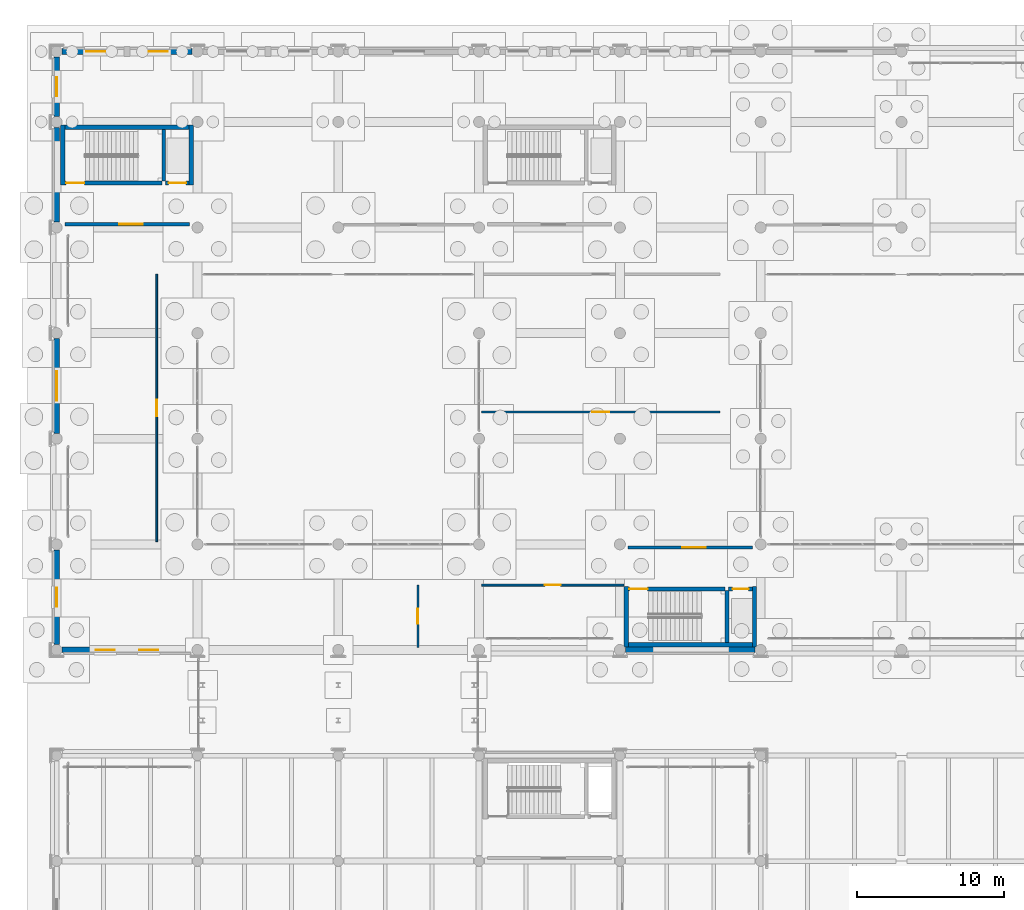
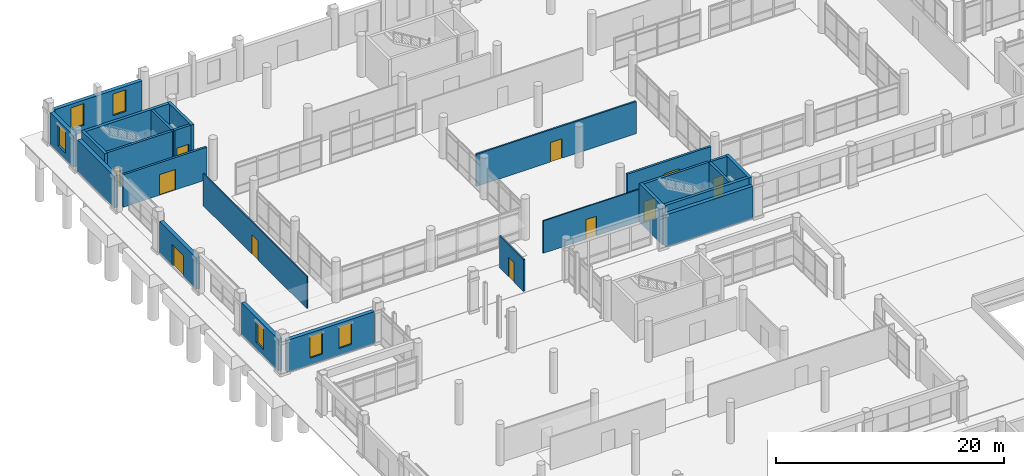
# One storey, part 162 of 196: 25 walls, 11 doors, 6 windows, 17 openings.
"""IFC4 building model written with IfcOpenShell, lengths in metres."""

from ifc_helpers import new_model, si_unit, direction, frame, frame_2d, origin, place, context, subcontext, project, spatial, rectangle, extrude, material, layer, layer_set, type_object, element, fill, save


model = new_model("IFC4")

# Units and contexts
model_context = context("Model", 3, precision=1e-05, world=origin(), true_north=direction((0.0, 1.0)))
body_context = subcontext(model_context, "Body", "Model", "MODEL_VIEW")
ifc_project = project(units=[si_unit("LENGTHUNIT", "METRE"), si_unit("AREAUNIT", "SQUARE_METRE"), si_unit("VOLUMEUNIT", "CUBIC_METRE"), si_unit("PLANEANGLEUNIT", "RADIAN"), si_unit("MASSUNIT", "GRAM", prefix="KILO")], contexts=[model_context])

# Site, building, storey
site_placement = place(None, origin())
site = spatial("IfcSite", under=ifc_project, at=site_placement, CompositionType="ELEMENT")
building_placement = place(site_placement, origin())
building = spatial("IfcBuilding", under=site, at=building_placement, Name="Asteropetra Specialist Clinic", CompositionType="ELEMENT")
storey_placement = place(building_placement, origin())
storey = spatial("IfcBuildingStorey", under=building, at=storey_placement, Name="L00", CompositionType="ELEMENT", Elevation=0.0)

# Wall, openings, windows
ifc_material_1 = material(Name="Pentelic marble ashlar", Category="masonry")
ifc_layer_1 = layer(ifc_material_1, 0.3798828125)
ifc_layer_set_1 = layer_set([ifc_layer_1], Name="Pentelic marble ashlar")
wall_type_1 = type_object("IfcWallType", Name="EW-PENTELIC-380", PredefinedType="SOLIDWALL", material=ifc_layer_set_1)
wall_1_placement = place(storey_placement, frame((0.375, 69.60009765625, 0.0), z_axis=(0.0, 0.0, 1.0), x_axis=(1.0, 0.0, 0.0)))
wall_1 = element("IfcWall", 1, at=wall_1_placement, inside=storey, type_object=wall_type_1, Name="Exterior Wall EW-0046", PredefinedType="SOLIDWALL", context=body_context, shape_type="SweptSolid", body=[
    extrude(rectangle(XDim=8.85009765625, YDim=0.3798828125, at=frame_2d((4.425048828125, 0.0))), origin(), (0.0, 0.0, 1.0), 3.419921875),
])
opening_1_placement = place(wall_1_placement, frame((2.300048828125, 0.0, 0.719970703125)))
opening_1 = element("IfcOpeningElement", 2, at=opening_1_placement, cuts=wall_1, Name="Opening W-0037", PredefinedType="OPENING", context=body_context, shape_type="SweptSolid", body=[
    extrude(rectangle(XDim=1.300048828125, YDim=2.320068359375, at=frame_2d((0.64990234375, 1.16015625))), frame((0.0, 0.199951171875, 0.0), z_axis=(0.0, -1.0, 0.0), x_axis=(1.0, 0.0, 0.0)), (0.0, 0.0, 1.0), 0.39990234375),
])
opening_2_placement = place(wall_1_placement, frame((5.25, 0.0, 0.719970703125)))
opening_2 = element("IfcOpeningElement", 3, at=opening_2_placement, cuts=wall_1, Name="Opening W-0038", PredefinedType="OPENING", context=body_context, shape_type="SweptSolid", body=[
    extrude(rectangle(XDim=1.300048828125, YDim=2.320068359375, at=frame_2d((0.64990234375, 1.16015625))), frame((0.0, 0.199951171875, 0.0), z_axis=(0.0, -1.0, 0.0), x_axis=(1.0, 0.0, 0.0)), (0.0, 0.0, 1.0), 0.39990234375),
])
ifc_material_2 = material(Name="Thermally broken bronze aluminium and low-E glass", Category="aluminium")
window_type = type_object("IfcWindowType", Name="WIN-T20", PartitioningType="DOUBLE_PANEL_VERTICAL", PredefinedType="WINDOW", material=ifc_material_2)
window_1_placement = place(opening_1_placement, origin())
window_1 = element("IfcWindow", 4, at=window_1_placement, inside=storey, type_object=window_type, Name="Window W-0037", OverallHeight=2.320068359375, OverallWidth=1.300048828125, PartitioningType="SINGLE_PANEL", PredefinedType="WINDOW", context=body_context, shape_type="SweptSolid", body=[
    extrude(rectangle(XDim=1.300048828125, YDim=2.320068359375, at=frame_2d((0.64990234375, 1.16015625))), frame((0.0, 0.030029296875, 0.0), z_axis=(0.0, -1.0, 0.0), x_axis=(1.0, 0.0, 0.0)), (0.0, 0.0, 1.0), 0.06005859375),
])
fill(opening_1, window_1)
window_2_placement = place(opening_2_placement, origin())
window_2 = element("IfcWindow", 5, at=window_2_placement, inside=storey, type_object=window_type, Name="Window W-0038", OverallHeight=2.320068359375, OverallWidth=1.300048828125, PartitioningType="SINGLE_PANEL", PredefinedType="WINDOW", context=body_context, shape_type="SweptSolid", body=[
    extrude(rectangle(XDim=1.300048828125, YDim=2.320068359375, at=frame_2d((0.64990234375, 1.16015625))), frame((0.0, 0.030029296875, 0.0), z_axis=(0.0, -1.0, 0.0), x_axis=(1.0, 0.0, 0.0)), (0.0, 0.0, 1.0), 0.06005859375),
])
fill(opening_2, window_2)

wall_2_placement = place(storey_placement, frame((9.22509765625, 110.39990234375, 0.0), z_axis=(0.0, 0.0, 1.0), x_axis=(-1.0, 0.0, 0.0)))
wall_2 = element("IfcWall", 6, at=wall_2_placement, inside=storey, type_object=wall_type_1, Name="Exterior Wall EW-0047", PredefinedType="SOLIDWALL", context=body_context, shape_type="SweptSolid", body=[
    extrude(rectangle(XDim=8.85009765625, YDim=0.3798828125, at=frame_2d((4.425048828125, 0.0))), origin(), (0.0, 0.0, 1.0), 3.419921875),
])
opening_3_placement = place(wall_2_placement, frame((1.65087890625, 0.0, 0.719970703125)))
opening_3 = element("IfcOpeningElement", 7, at=opening_3_placement, cuts=wall_2, Name="Opening W-0039", PredefinedType="OPENING", context=body_context, shape_type="SweptSolid", body=[
    extrude(rectangle(XDim=1.300048828125, YDim=2.320068359375, at=frame_2d((0.64990234375, 1.16015625))), frame((0.0, 0.199951171875, 0.0), z_axis=(0.0, -1.0, 0.0), x_axis=(1.0, 0.0, 0.0)), (0.0, 0.0, 1.0), 0.39990234375),
])
opening_4_placement = place(wall_2_placement, frame((5.89892578125, 0.0, 0.719970703125)))
opening_4 = element("IfcOpeningElement", 8, at=opening_4_placement, cuts=wall_2, Name="Opening W-0040", PredefinedType="OPENING", context=body_context, shape_type="SweptSolid", body=[
    extrude(rectangle(XDim=1.300048828125, YDim=2.320068359375, at=frame_2d((0.64990234375, 1.16015625))), frame((0.0, 0.199951171875, 0.0), z_axis=(0.0, -1.0, 0.0), x_axis=(1.0, 0.0, 0.0)), (0.0, 0.0, 1.0), 0.39990234375),
])
window_3_placement = place(opening_3_placement, origin())
window_3 = element("IfcWindow", 9, at=window_3_placement, inside=storey, type_object=window_type, Name="Window W-0039", OverallHeight=2.320068359375, OverallWidth=1.300048828125, PartitioningType="SINGLE_PANEL", PredefinedType="WINDOW", context=body_context, shape_type="SweptSolid", body=[
    extrude(rectangle(XDim=1.300048828125, YDim=2.320068359375, at=frame_2d((0.64990234375, 1.16015625))), frame((0.0, 0.030029296875, 0.0), z_axis=(0.0, -1.0, 0.0), x_axis=(1.0, 0.0, 0.0)), (0.0, 0.0, 1.0), 0.06005859375),
])
fill(opening_3, window_3)
window_4_placement = place(opening_4_placement, origin())
window_4 = element("IfcWindow", 10, at=window_4_placement, inside=storey, type_object=window_type, Name="Window W-0040", OverallHeight=2.320068359375, OverallWidth=1.300048828125, PartitioningType="SINGLE_PANEL", PredefinedType="WINDOW", context=body_context, shape_type="SweptSolid", body=[
    extrude(rectangle(XDim=1.300048828125, YDim=2.320068359375, at=frame_2d((0.64990234375, 1.16015625))), frame((0.0, 0.030029296875, 0.0), z_axis=(0.0, -1.0, 0.0), x_axis=(1.0, 0.0, 0.0)), (0.0, 0.0, 1.0), 0.06005859375),
])
fill(opening_4, window_4)

# Wall
wall_3_placement = place(storey_placement, frame((38.77490234375, 69.60009765625, 0.0), z_axis=(0.0, 0.0, 1.0), x_axis=(1.0, 0.0, 0.0)))
element("IfcWall", 11, at=wall_3_placement, inside=storey, type_object=wall_type_1, Name="Exterior Wall EW-0051", PredefinedType="SOLIDWALL", context=body_context, shape_type="SweptSolid", body=[
    extrude(rectangle(XDim=8.85009765625, YDim=0.3798828125, at=frame_2d((4.425048828125, 0.0))), origin(), (0.0, 0.0, 1.0), 3.419921875),
])

# Wall, opening, window
wall_4_placement = place(storey_placement, frame((0.0, 76.425048828125, 0.0), z_axis=(0.0, 0.0, 1.0), x_axis=(0.0, -1.0, 0.0)))
wall_4 = element("IfcWall", 12, at=wall_4_placement, inside=storey, type_object=wall_type_1, Name="Exterior Wall EW-0056", PredefinedType="SOLIDWALL", context=body_context, shape_type="SweptSolid", body=[
    extrude(rectangle(XDim=6.449951171875, YDim=0.3798828125, at=frame_2d((3.22509765625, 0.0))), origin(), (0.0, 0.0, 1.0), 3.419921875),
])
opening_5_placement = place(wall_4_placement, frame((2.574951171875, 0.0, 0.719970703125)))
opening_5 = element("IfcOpeningElement", 13, at=opening_5_placement, cuts=wall_4, Name="Opening W-0051", PredefinedType="OPENING", context=body_context, shape_type="SweptSolid", body=[
    extrude(rectangle(XDim=1.300048828125, YDim=2.320068359375, at=frame_2d((0.64990234375, 1.16015625))), frame((0.0, 0.199951171875, 0.0), z_axis=(0.0, -1.0, 0.0), x_axis=(1.0, 0.0, 0.0)), (0.0, 0.0, 1.0), 0.39990234375),
])
window_5_placement = place(opening_5_placement, origin())
window_5 = element("IfcWindow", 14, at=window_5_placement, inside=storey, type_object=window_type, Name="Window W-0051", OverallHeight=2.320068359375, OverallWidth=1.300048828125, PartitioningType="SINGLE_PANEL", PredefinedType="WINDOW", context=body_context, shape_type="SweptSolid", body=[
    extrude(rectangle(XDim=1.300048828125, YDim=2.320068359375, at=frame_2d((0.64990234375, 1.16015625))), frame((0.0, 0.030029296875, 0.0), z_axis=(0.0, -1.0, 0.0), x_axis=(1.0, 0.0, 0.0)), (0.0, 0.0, 1.0), 0.06005859375),
])
fill(opening_5, window_5)

# Wall, opening, door
wall_5_placement = place(storey_placement, frame((0.0, 90.824951171875, 0.0), z_axis=(0.0, 0.0, 1.0), x_axis=(0.0, -1.0, 0.0)))
wall_5 = element("IfcWall", 15, at=wall_5_placement, inside=storey, type_object=wall_type_1, Name="Exterior Wall EW-0058", PredefinedType="SOLIDWALL", context=body_context, shape_type="SweptSolid", body=[
    extrude(rectangle(XDim=6.449951171875, YDim=0.3798828125, at=frame_2d((3.22509765625, 0.0))), origin(), (0.0, 0.0, 1.0), 3.419921875),
])
opening_6_placement = place(wall_5_placement, frame((2.22509765625, 0.0, 0.0)))
opening_6 = element("IfcOpeningElement", 16, at=opening_6_placement, cuts=wall_5, Name="Opening ED-010", PredefinedType="OPENING", context=body_context, shape_type="SweptSolid", body=[
    extrude(rectangle(XDim=2.0, YDim=2.300048828125, at=frame_2d((1.0, 1.14990234375))), frame((0.0, 0.199951171875, 0.0), z_axis=(0.0, -1.0, 0.0), x_axis=(1.0, 0.0, 0.0)), (0.0, 0.0, 1.0), 0.39990234375),
])
ifc_material_3 = material(Name="Bronze aluminium and safety glass", Category="aluminium")
door_type_1 = type_object("IfcDoorType", Name="EDR-EXIT-2000", OperationType="DOUBLE_DOOR_SINGLE_SWING", PredefinedType="DOOR", material=ifc_material_3)
door_1_placement = place(opening_6_placement, origin())
door_1 = element("IfcDoor", 17, at=door_1_placement, inside=storey, type_object=door_type_1, Name="Exterior Door ED-010", OperationType="DOUBLE_DOOR_SINGLE_SWING", OverallHeight=2.300048828125, OverallWidth=2.0, PredefinedType="DOOR", context=body_context, shape_type="SweptSolid", body=[
    extrude(rectangle(XDim=2.0, YDim=2.300048828125, at=frame_2d((1.0, 1.14990234375))), frame((0.0, 0.02490234375, 0.0), z_axis=(0.0, -1.0, 0.0), x_axis=(1.0, 0.0, 0.0)), (0.0, 0.0, 1.0), 0.050048828125),
])
fill(opening_6, door_1)

# Wall
wall_6_placement = place(storey_placement, frame((0.0, 105.22509765625, 0.0), z_axis=(0.0, 0.0, 1.0), x_axis=(0.0, -1.0, 0.0)))
element("IfcWall", 18, at=wall_6_placement, inside=storey, type_object=wall_type_1, Name="Exterior Wall EW-0059", PredefinedType="SOLIDWALL", context=body_context, shape_type="SweptSolid", body=[
    extrude(rectangle(XDim=6.4501953125, YDim=0.3798828125, at=frame_2d((3.22509765625, 0.0))), origin(), (0.0, 0.0, 1.0), 3.419921875),
])

# Wall, opening, window
wall_7_placement = place(storey_placement, frame((0.0, 110.02490234375, 0.0), z_axis=(0.0, 0.0, 1.0), x_axis=(0.0, -1.0, 0.0)))
wall_7 = element("IfcWall", 19, at=wall_7_placement, inside=storey, type_object=wall_type_1, Name="Exterior Wall EW-0060", PredefinedType="SOLIDWALL", context=body_context, shape_type="SweptSolid", body=[
    extrude(rectangle(XDim=4.0498046875, YDim=0.3798828125, at=frame_2d((2.02490234375, 0.0))), origin(), (0.0, 0.0, 1.0), 3.419921875),
])
opening_7_placement = place(wall_7_placement, frame((1.375, 0.0, 0.719970703125)))
opening_7 = element("IfcOpeningElement", 20, at=opening_7_placement, cuts=wall_7, Name="Opening W-0053", PredefinedType="OPENING", context=body_context, shape_type="SweptSolid", body=[
    extrude(rectangle(XDim=1.300048828125, YDim=2.320068359375, at=frame_2d((0.64990234375, 1.16015625))), frame((0.0, 0.199951171875, 0.0), z_axis=(0.0, -1.0, 0.0), x_axis=(1.0, 0.0, 0.0)), (0.0, 0.0, 1.0), 0.39990234375),
])
window_6_placement = place(opening_7_placement, origin())
window_6 = element("IfcWindow", 21, at=window_6_placement, inside=storey, type_object=window_type, Name="Window W-0053", OverallHeight=2.320068359375, OverallWidth=1.300048828125, PartitioningType="SINGLE_PANEL", PredefinedType="WINDOW", context=body_context, shape_type="SweptSolid", body=[
    extrude(rectangle(XDim=1.300048828125, YDim=2.320068359375, at=frame_2d((0.64990234375, 1.16015625))), frame((0.0, 0.030029296875, 0.0), z_axis=(0.0, -1.0, 0.0), x_axis=(1.0, 0.0, 0.0)), (0.0, 0.0, 1.0), 0.06005859375),
])
fill(opening_7, window_6)

# Wall, opening, door
ifc_material_4 = material(Name="Fire-rated masonry and gypsum", Category="masonry")
ifc_layer_2 = layer(ifc_material_4, 0.219970703125)
ifc_layer_set_2 = layer_set([ifc_layer_2], Name="Fire-rated masonry and gypsum")
wall_type_2 = type_object("IfcWallType", Name="W-COMP-220", PredefinedType="PARTITIONING", material=ifc_layer_set_2)
wall_8_placement = place(storey_placement, frame((0.56005859375, 98.6201171875, 0.0), z_axis=(0.0, 0.0, 1.0), x_axis=(1.0, 0.0, 0.0)))
wall_8 = element("IfcWall", 22, at=wall_8_placement, inside=storey, type_object=wall_type_2, Name="Core Wall CW-C1-L00-LOB", PredefinedType="PARTITIONING", context=body_context, shape_type="SweptSolid", body=[
    extrude(rectangle(XDim=8.47998046875, YDim=0.219970703125, at=frame_2d((4.239990234375, 0.0))), origin(), (0.0, 0.0, 1.0), 3.469970703125),
])
opening_8_placement = place(wall_8_placement, frame((3.699951171875, 0.0, 0.0)))
opening_8 = element("IfcOpeningElement", 23, at=opening_8_placement, cuts=wall_8, Name="Opening FD-002", PredefinedType="OPENING", context=body_context, shape_type="SweptSolid", body=[
    extrude(rectangle(XDim=1.60009765625, YDim=2.199951171875, at=frame_2d((0.800048828125, 1.10009765625))), frame((0.0, 0.119873046875, 0.0), z_axis=(0.0, -1.0, 0.0), x_axis=(1.0, 0.0, 0.0)), (0.0, 0.0, 1.0), 0.239990234375),
])
ifc_material_5 = material(Name="Fire-rated steel and vision glass door", Category="steel")
door_type_2 = type_object("IfcDoorType", Name="FD-LOBBY-1600", OperationType="DOUBLE_DOOR_SINGLE_SWING", PredefinedType="DOOR", material=ifc_material_5)
door_2_placement = place(opening_8_placement, origin())
door_2 = element("IfcDoor", 24, at=door_2_placement, inside=storey, type_object=door_type_2, Name="Lobby Fire Door FD-002", OperationType="DOUBLE_DOOR_SINGLE_SWING", OverallHeight=2.199951171875, OverallWidth=1.60009765625, PredefinedType="DOOR", context=body_context, shape_type="SweptSolid", body=[
    extrude(rectangle(XDim=1.60009765625, YDim=2.199951171875, at=frame_2d((0.800048828125, 1.10009765625))), frame((0.0, 0.02490234375, 0.0), z_axis=(0.0, -1.0, 0.0), x_axis=(1.0, 0.0, 0.0)), (0.0, 0.0, 1.0), 0.050048828125),
])
fill(opening_8, door_2)

wall_9_placement = place(storey_placement, frame((38.9599609375, 76.580078125, 0.0), z_axis=(0.0, 0.0, 1.0), x_axis=(1.0, 0.0, 0.0)))
wall_9 = element("IfcWall", 25, at=wall_9_placement, inside=storey, type_object=wall_type_2, Name="Core Wall CW-C3-L00-LOB", PredefinedType="PARTITIONING", context=body_context, shape_type="SweptSolid", body=[
    extrude(rectangle(XDim=8.47998046875, YDim=0.219970703125, at=frame_2d((4.239990234375, 0.0))), origin(), (0.0, 0.0, 1.0), 3.469970703125),
])
opening_9_placement = place(wall_9_placement, frame((3.699951171875, 0.0, 0.0)))
opening_9 = element("IfcOpeningElement", 26, at=opening_9_placement, cuts=wall_9, Name="Opening FD-026", PredefinedType="OPENING", context=body_context, shape_type="SweptSolid", body=[
    extrude(rectangle(XDim=1.60009765625, YDim=2.199951171875, at=frame_2d((0.800048828125, 1.10009765625))), frame((0.0, 0.119873046875, 0.0), z_axis=(0.0, -1.0, 0.0), x_axis=(1.0, 0.0, 0.0)), (0.0, 0.0, 1.0), 0.239990234375),
])
door_3_placement = place(opening_9_placement, origin())
door_3 = element("IfcDoor", 27, at=door_3_placement, inside=storey, type_object=door_type_2, Name="Lobby Fire Door FD-026", OperationType="DOUBLE_DOOR_SINGLE_SWING", OverallHeight=2.199951171875, OverallWidth=1.60009765625, PredefinedType="DOOR", context=body_context, shape_type="SweptSolid", body=[
    extrude(rectangle(XDim=1.60009765625, YDim=2.199951171875, at=frame_2d((0.800048828125, 1.10009765625))), frame((0.0, 0.02490234375, 0.0), z_axis=(0.0, -1.0, 0.0), x_axis=(1.0, 0.0, 0.0)), (0.0, 0.0, 1.0), 0.050048828125),
])
fill(opening_9, door_3)

# Walls
ifc_material_6 = material(Name="Concrete C35/45", Category="concrete")
ifc_layer_3 = layer(ifc_material_6, 0.300048828125)
ifc_layer_set_3 = layer_set([ifc_layer_3], Name="Concrete C35/45")
wall_type_3 = type_object("IfcWallType", Name="W-CORE-300", PredefinedType="SHEAR", material=ifc_layer_set_3)
for number, where, z_axis, x_axis, name in (
    (28, (0.419921875, 101.2900390625, 0.0), (0.0, 0.0, 1.0), (0.0, 1.0, 0.0), "Core Wall CW-C1-L00-W"),
    (29, (9.179931640625, 101.2900390625, 0.0), (0.0, 0.0, 1.0), (0.0, 1.0, 0.0), "Core Wall CW-C1-L00-E"),
):
    element("IfcWall", number, at=place(storey_placement, frame(where, z_axis=z_axis, x_axis=x_axis)), inside=storey, type_object=wall_type_3, Name=name, PredefinedType="SHEAR", context=body_context, shape_type="SweptSolid", body=[
        extrude(rectangle(XDim=4.099853515625, YDim=0.300048828125, at=frame_2d((2.0498046875, 0.0))), origin(), (0.0, 0.0, 1.0), 4.139892578125),
    ])
wall_10_placement = place(storey_placement, frame((0.56494140625, 105.239990234375, 0.0), z_axis=(0.0, 0.0, 1.0), x_axis=(1.0, 0.0, 0.0)))
element("IfcWall", 30, at=wall_10_placement, inside=storey, type_object=wall_type_3, Name="Core Wall CW-C1-L00-BACK", PredefinedType="SHEAR", context=body_context, shape_type="SweptSolid", body=[
    extrude(rectangle(XDim=8.469970703125, YDim=0.300048828125, at=frame_2d((4.23486328125, 0.0))), origin(), (0.0, 0.0, 1.0), 4.139892578125),
])
for number, where, z_axis, x_axis, name in (
    (31, (38.820068359375, 69.81005859375, 0.0), (0.0, 0.0, 1.0), (0.0, 1.0, 0.0), "Core Wall CW-C3-L00-W"),
    (32, (47.580078125, 69.81005859375, 0.0), (0.0, 0.0, 1.0), (0.0, 1.0, 0.0), "Core Wall CW-C3-L00-E"),
):
    element("IfcWall", number, at=place(storey_placement, frame(where, z_axis=z_axis, x_axis=x_axis)), inside=storey, type_object=wall_type_3, Name=name, PredefinedType="SHEAR", context=body_context, shape_type="SweptSolid", body=[
        extrude(rectangle(XDim=4.099853515625, YDim=0.300048828125, at=frame_2d((2.0498046875, 0.0))), origin(), (0.0, 0.0, 1.0), 4.139892578125),
    ])
wall_11_placement = place(storey_placement, frame((38.965087890625, 69.9599609375, 0.0), z_axis=(0.0, 0.0, 1.0), x_axis=(1.0, 0.0, 0.0)))
element("IfcWall", 33, at=wall_11_placement, inside=storey, type_object=wall_type_3, Name="Core Wall CW-C3-L00-BACK", PredefinedType="SHEAR", context=body_context, shape_type="SweptSolid", body=[
    extrude(rectangle(XDim=8.469970703125, YDim=0.300048828125, at=frame_2d((4.23486328125, 0.0))), origin(), (0.0, 0.0, 1.0), 4.139892578125),
])

# Wall, opening, door
ifc_material_7 = material(Name="Light partition", Category="masonry")
ifc_layer_4 = layer(ifc_material_7, 0.1201171875)
ifc_layer_set_4 = layer_set([ifc_layer_4], Name="Light partition")
wall_type_4 = type_object("IfcWallType", Name="W-PART-120", PredefinedType="PARTITIONING", material=ifc_layer_set_4)
wall_12_placement = place(storey_placement, frame((6.820068359375, 76.97998046875, 0.0), z_axis=(0.0, 0.0, 1.0), x_axis=(0.0, 1.0, 0.0)))
wall_12 = element("IfcWall", 34, at=wall_12_placement, inside=storey, type_object=wall_type_4, Name="Interior Partition PW-0059", PredefinedType="PARTITIONING", context=body_context, shape_type="SweptSolid", body=[
    extrude(rectangle(XDim=18.239990234375, YDim=0.1201171875, at=frame_2d((9.1201171875, 0.0))), origin(), (0.0, 0.0, 1.0), 3.4599609375),
])
opening_10_placement = place(wall_12_placement, frame((8.56005859375, 0.0, 0.0)))
opening_10 = element("IfcOpeningElement", 35, at=opening_10_placement, cuts=wall_12, Name="Opening ID-0033", PredefinedType="OPENING", context=body_context, shape_type="SweptSolid", body=[
    extrude(rectangle(XDim=1.1201171875, YDim=2.10009765625, at=frame_2d((0.56005859375, 1.050048828125))), frame((0.0, 0.070068359375, 0.0), z_axis=(0.0, -1.0, 0.0), x_axis=(1.0, 0.0, 0.0)), (0.0, 0.0, 1.0), 0.14013671875),
])
ifc_material_8 = material(Name="Antimicrobial laminate timber leaf in steel frame", Category="steel")
door_type_3 = type_object("IfcDoorType", Name="ID-EXAM-1120", OperationType="SINGLE_SWING_RIGHT", PredefinedType="DOOR", material=ifc_material_8)
door_4_placement = place(opening_10_placement, origin())
door_4 = element("IfcDoor", 36, at=door_4_placement, inside=storey, type_object=door_type_3, Name="Interior Door ID-0033", OperationType="SINGLE_SWING_RIGHT", OverallHeight=2.10009765625, OverallWidth=1.1201171875, PredefinedType="DOOR", context=body_context, shape_type="SweptSolid", body=[
    extrude(rectangle(XDim=1.1201171875, YDim=2.10009765625, at=frame_2d((0.56005859375, 1.050048828125))), frame((0.0, 0.02490234375, 0.0), z_axis=(0.0, -1.0, 0.0), x_axis=(1.0, 0.0, 0.0)), (0.0, 0.0, 1.0), 0.050048828125),
])
fill(opening_10, door_4)

ifc_material_9 = material(Name="Office and seminar partition", Category="masonry")
ifc_layer_5 = layer(ifc_material_9, 0.1298828125)
ifc_layer_set_5 = layer_set([ifc_layer_5], Name="Office and seminar partition")
wall_type_5 = type_object("IfcWallType", Name="W-PART-130", PredefinedType="PARTITIONING", material=ifc_layer_set_5)
wall_13_placement = place(storey_placement, frame((28.97998046875, 74.02001953125, 0.0), z_axis=(0.0, 0.0, 1.0), x_axis=(1.0, 0.0, 0.0)))
wall_13 = element("IfcWall", 37, at=wall_13_placement, inside=storey, type_object=wall_type_5, Name="Interior Partition PW-0058", PredefinedType="PARTITIONING", context=body_context, shape_type="SweptSolid", body=[
    extrude(rectangle(XDim=9.68798828125, YDim=0.1298828125, at=frame_2d((4.843994140625, 0.0))), origin(), (0.0, 0.0, 1.0), 3.4599609375),
])
opening_11_placement = place(wall_13_placement, frame((4.303955078125, 0.0, 0.0)))
opening_11 = element("IfcOpeningElement", 38, at=opening_11_placement, cuts=wall_13, Name="Opening ID-0032", PredefinedType="OPENING", context=body_context, shape_type="SweptSolid", body=[
    extrude(rectangle(XDim=1.080078125, YDim=2.10009765625, at=frame_2d((0.5400390625, 1.050048828125))), frame((0.0, 0.074951171875, 0.0), z_axis=(0.0, -1.0, 0.0), x_axis=(1.0, 0.0, 0.0)), (0.0, 0.0, 1.0), 0.14990234375),
])
ifc_material_10 = material(Name="Antimicrobial laminate timber leaf in steel frame", Category="steel")
door_type_4 = type_object("IfcDoorType", Name="ID-EXAM-1080", OperationType="SINGLE_SWING_LEFT", PredefinedType="DOOR", material=ifc_material_10)
door_5_placement = place(opening_11_placement, origin())
door_5 = element("IfcDoor", 39, at=door_5_placement, inside=storey, type_object=door_type_4, Name="Interior Door ID-0032", OperationType="SINGLE_SWING_LEFT", OverallHeight=2.10009765625, OverallWidth=1.080078125, PredefinedType="DOOR", context=body_context, shape_type="SweptSolid", body=[
    extrude(rectangle(XDim=1.080078125, YDim=2.10009765625, at=frame_2d((0.5400390625, 1.050048828125))), frame((0.0, 0.02490234375, 0.0), z_axis=(0.0, -1.0, 0.0), x_axis=(1.0, 0.0, 0.0)), (0.0, 0.0, 1.0), 0.050048828125),
])
fill(opening_11, door_5)

ifc_material_11 = material(Name="Laboratory partition", Category="masonry")
ifc_layer_6 = layer(ifc_material_11, 0.139892578125)
ifc_layer_set_6 = layer_set([ifc_layer_6], Name="Laboratory partition")
wall_type_6 = type_object("IfcWallType", Name="W-PART-140", PredefinedType="PARTITIONING", material=ifc_layer_set_6)
wall_14_placement = place(storey_placement, frame((24.6201171875, 69.780029296875, 0.0), z_axis=(0.0, 0.0, 1.0), x_axis=(0.0, 1.0, 0.0)))
wall_14 = element("IfcWall", 40, at=wall_14_placement, inside=storey, type_object=wall_type_6, Name="Interior Partition PW-0057", PredefinedType="PARTITIONING", context=body_context, shape_type="SweptSolid", body=[
    extrude(rectangle(XDim=4.239990234375, YDim=0.139892578125, at=frame_2d((2.1201171875, 0.0))), origin(), (0.0, 0.0, 1.0), 3.419921875),
])
opening_12_placement = place(wall_14_placement, frame((1.6201171875, 0.0, 0.0)))
opening_12 = element("IfcOpeningElement", 41, at=opening_12_placement, cuts=wall_14, Name="Opening ID-0031", PredefinedType="OPENING", context=body_context, shape_type="SweptSolid", body=[
    extrude(rectangle(XDim=1.0, YDim=2.10009765625, at=frame_2d((0.5, 1.050048828125))), frame((0.0, 0.079833984375, 0.0), z_axis=(0.0, -1.0, 0.0), x_axis=(1.0, 0.0, 0.0)), (0.0, 0.0, 1.0), 0.159912109375),
])
ifc_material_12 = material(Name="Antimicrobial laminate timber leaf in steel frame", Category="steel")
door_type_5 = type_object("IfcDoorType", Name="ID-CONS-1000", OperationType="SINGLE_SWING_RIGHT", PredefinedType="DOOR", material=ifc_material_12)
door_6_placement = place(opening_12_placement, origin())
door_6 = element("IfcDoor", 42, at=door_6_placement, inside=storey, type_object=door_type_5, Name="Interior Door ID-0031", OperationType="SINGLE_SWING_RIGHT", OverallHeight=2.10009765625, OverallWidth=1.0, PredefinedType="DOOR", context=body_context, shape_type="SweptSolid", body=[
    extrude(rectangle(XDim=1.0, YDim=2.10009765625, at=frame_2d((0.5, 1.050048828125))), frame((0.0, 0.02490234375, 0.0), z_axis=(0.0, -1.0, 0.0), x_axis=(1.0, 0.0, 0.0)), (0.0, 0.0, 1.0), 0.050048828125),
])
fill(opening_12, door_6)

ifc_material_13 = material(Name="Acoustic clinical stud partition", Category="masonry")
ifc_layer_7 = layer(ifc_material_13, 0.159912109375)
ifc_layer_set_7 = layer_set([ifc_layer_7], Name="Acoustic clinical stud partition")
wall_type_7 = type_object("IfcWallType", Name="W-PART-160", PredefinedType="PARTITIONING", material=ifc_layer_set_7)
wall_15_placement = place(storey_placement, frame((28.97998046875, 85.820068359375, 0.0), z_axis=(0.0, 0.0, 1.0), x_axis=(1.0, 0.0, 0.0)))
wall_15 = element("IfcWall", 43, at=wall_15_placement, inside=storey, type_object=wall_type_7, Name="Interior Partition PW-0060", PredefinedType="PARTITIONING", context=body_context, shape_type="SweptSolid", body=[
    extrude(rectangle(XDim=16.239990234375, YDim=0.159912109375, at=frame_2d((8.1201171875, 0.0))), origin(), (0.0, 0.0, 1.0), 3.4599609375),
])
opening_13_placement = place(wall_15_placement, frame((7.544921875, 0.0, 0.0)))
opening_13 = element("IfcOpeningElement", 44, at=opening_13_placement, cuts=wall_15, Name="Opening ID-0034", PredefinedType="OPENING", context=body_context, shape_type="SweptSolid", body=[
    extrude(rectangle(XDim=1.14990234375, YDim=2.10009765625, at=frame_2d((0.574951171875, 1.050048828125))), frame((0.0, 0.08984375, 0.0), z_axis=(0.0, -1.0, 0.0), x_axis=(1.0, 0.0, 0.0)), (0.0, 0.0, 1.0), 0.179931640625),
])
ifc_material_14 = material(Name="Antimicrobial laminate timber leaf in steel frame", Category="steel")
door_type_6 = type_object("IfcDoorType", Name="ID-CONS-1150", OperationType="SINGLE_SWING_LEFT", PredefinedType="DOOR", material=ifc_material_14)
door_7_placement = place(opening_13_placement, origin())
door_7 = element("IfcDoor", 45, at=door_7_placement, inside=storey, type_object=door_type_6, Name="Interior Door ID-0034", OperationType="SINGLE_SWING_LEFT", OverallHeight=2.10009765625, OverallWidth=1.14990234375, PredefinedType="DOOR", context=body_context, shape_type="SweptSolid", body=[
    extrude(rectangle(XDim=1.14990234375, YDim=2.10009765625, at=frame_2d((0.574951171875, 1.050048828125))), frame((0.0, 0.02490234375, 0.0), z_axis=(0.0, -1.0, 0.0), x_axis=(1.0, 0.0, 0.0)), (0.0, 0.0, 1.0), 0.050048828125),
])
fill(opening_13, door_7)

# Wall
ifc_material_15 = material(Name="Concrete C35/45", Category="concrete")
ifc_layer_8 = layer(ifc_material_15, 0.25)
ifc_layer_set_8 = layer_set([ifc_layer_8], Name="Concrete C35/45")
wall_type_8 = type_object("IfcWallType", Name="W-SHAFT-250", PredefinedType="SHEAR", material=ifc_layer_set_8)
wall_16_placement = place(storey_placement, frame((7.300048828125, 101.56005859375, 0.0), z_axis=(0.0, 0.0, 1.0), x_axis=(0.0, 1.0, 0.0)))
element("IfcWall", 46, at=wall_16_placement, inside=storey, type_object=wall_type_8, Name="Core Wall CW-C1-L00-MID", PredefinedType="SHEAR", context=body_context, shape_type="SweptSolid", body=[
    extrude(rectangle(XDim=3.530029296875, YDim=0.25, at=frame_2d((1.76513671875, 0.0))), origin(), (0.0, 0.0, 1.0), 4.139892578125),
])

# Wall, opening, door
wall_17_placement = place(storey_placement, frame((0.56494140625, 101.43994140625, 0.0), z_axis=(0.0, 0.0, 1.0), x_axis=(1.0, 0.0, 0.0)))
wall_17 = element("IfcWall", 47, at=wall_17_placement, inside=storey, type_object=wall_type_8, Name="Core Wall CW-C1-L00-STDIV", PredefinedType="SHEAR", context=body_context, shape_type="SweptSolid", body=[
    extrude(rectangle(XDim=6.614990234375, YDim=0.25, at=frame_2d((3.3076171875, 0.0))), origin(), (0.0, 0.0, 1.0), 4.139892578125),
])
opening_14_placement = place(wall_17_placement, frame((0.080078125, 0.0, 0.0)))
opening_14 = element("IfcOpeningElement", 48, at=opening_14_placement, cuts=wall_17, Name="Opening FD-001", PredefinedType="OPENING", context=body_context, shape_type="SweptSolid", body=[
    extrude(rectangle(XDim=1.239990234375, YDim=2.14990234375, at=frame_2d((0.6201171875, 1.074951171875))), frame((0.0, 0.135009765625, 0.0), z_axis=(0.0, -1.0, 0.0), x_axis=(1.0, 0.0, 0.0)), (0.0, 0.0, 1.0), 0.27001953125),
])
ifc_material_16 = material(Name="Fire-rated steel and vision glass door", Category="steel")
door_type_7 = type_object("IfcDoorType", Name="FD-STAIR-1400", OperationType="DOUBLE_DOOR_SINGLE_SWING", PredefinedType="DOOR", material=ifc_material_16)
door_8_placement = place(opening_14_placement, origin())
door_8 = element("IfcDoor", 49, at=door_8_placement, inside=storey, type_object=door_type_7, Name="Stair Fire Door FD-001", OperationType="DOUBLE_DOOR_SINGLE_SWING", OverallHeight=2.14990234375, OverallWidth=1.239990234375, PredefinedType="DOOR", context=body_context, shape_type="SweptSolid", body=[
    extrude(rectangle(XDim=1.239990234375, YDim=2.14990234375, at=frame_2d((0.6201171875, 1.074951171875))), frame((0.0, 0.02490234375, 0.0), z_axis=(0.0, -1.0, 0.0), x_axis=(1.0, 0.0, 0.0)), (0.0, 0.0, 1.0), 0.050048828125),
])
fill(opening_14, door_8)

wall_18_placement = place(storey_placement, frame((7.419921875, 101.43994140625, 0.0), z_axis=(0.0, 0.0, 1.0), x_axis=(1.0, 0.0, 0.0)))
wall_18 = element("IfcWall", 50, at=wall_18_placement, inside=storey, type_object=wall_type_8, Name="Lift Shaft Front Wall CW-C1-L00-LFTF", PredefinedType="SHEAR", context=body_context, shape_type="SweptSolid", body=[
    extrude(rectangle(XDim=1.614990234375, YDim=0.25, at=frame_2d((0.8076171875, 0.0))), origin(), (0.0, 0.0, 1.0), 4.139892578125),
])
opening_15_placement = place(wall_18_placement, frame((0.20751953125, 0.0, 0.0)))
opening_15 = element("IfcOpeningElement", 51, at=opening_15_placement, cuts=wall_18, Name="Opening LD-001", PredefinedType="OPENING", context=body_context, shape_type="SweptSolid", body=[
    extrude(rectangle(XDim=1.199951171875, YDim=2.14990234375, at=frame_2d((0.60009765625, 1.074951171875))), frame((0.0, 0.135009765625, 0.0), z_axis=(0.0, -1.0, 0.0), x_axis=(1.0, 0.0, 0.0)), (0.0, 0.0, 1.0), 0.27001953125),
])
ifc_material_17 = material(Name="Brushed stainless steel sliding lift landing door", Category="steel")
door_type_8 = type_object("IfcDoorType", Name="LD-FF-1200", OperationType="DOUBLE_DOOR_SLIDING", PredefinedType="DOOR", material=ifc_material_17)
door_9_placement = place(opening_15_placement, origin())
door_9 = element("IfcDoor", 52, at=door_9_placement, inside=storey, type_object=door_type_8, Name="Lift Landing Door LD-001", OperationType="DOUBLE_DOOR_SLIDING", OverallHeight=2.14990234375, OverallWidth=1.199951171875, PredefinedType="DOOR", context=body_context, shape_type="SweptSolid", body=[
    extrude(rectangle(XDim=1.199951171875, YDim=2.14990234375, at=frame_2d((0.60009765625, 1.074951171875))), frame((0.0, 0.02490234375, 0.0), z_axis=(0.0, -1.0, 0.0), x_axis=(1.0, 0.0, 0.0)), (0.0, 0.0, 1.0), 0.050048828125),
])
fill(opening_15, door_9)

# Wall
wall_19_placement = place(storey_placement, frame((45.699951171875, 70.110107421875, 0.0), z_axis=(0.0, 0.0, 1.0), x_axis=(0.0, 1.0, 0.0)))
element("IfcWall", 53, at=wall_19_placement, inside=storey, type_object=wall_type_8, Name="Core Wall CW-C3-L00-MID", PredefinedType="SHEAR", context=body_context, shape_type="SweptSolid", body=[
    extrude(rectangle(XDim=3.52978515625, YDim=0.25, at=frame_2d((1.764892578125, 0.0))), origin(), (0.0, 0.0, 1.0), 4.139892578125),
])

# Wall, opening, door
wall_20_placement = place(storey_placement, frame((38.965087890625, 73.760009765625, 0.0), z_axis=(0.0, 0.0, 1.0), x_axis=(1.0, 0.0, 0.0)))
wall_20 = element("IfcWall", 54, at=wall_20_placement, inside=storey, type_object=wall_type_8, Name="Core Wall CW-C3-L00-STDIV", PredefinedType="SHEAR", context=body_context, shape_type="SweptSolid", body=[
    extrude(rectangle(XDim=6.614990234375, YDim=0.25, at=frame_2d((3.3076171875, 0.0))), origin(), (0.0, 0.0, 1.0), 4.139892578125),
])
opening_16_placement = place(wall_20_placement, frame((0.080078125, 0.0, 0.0)))
opening_16 = element("IfcOpeningElement", 55, at=opening_16_placement, cuts=wall_20, Name="Opening FD-025", PredefinedType="OPENING", context=body_context, shape_type="SweptSolid", body=[
    extrude(rectangle(XDim=1.239990234375, YDim=2.14990234375, at=frame_2d((0.6201171875, 1.074951171875))), frame((0.0, 0.135009765625, 0.0), z_axis=(0.0, -1.0, 0.0), x_axis=(1.0, 0.0, 0.0)), (0.0, 0.0, 1.0), 0.27001953125),
])
door_10_placement = place(opening_16_placement, origin())
door_10 = element("IfcDoor", 56, at=door_10_placement, inside=storey, type_object=door_type_7, Name="Stair Fire Door FD-025", OperationType="DOUBLE_DOOR_SINGLE_SWING", OverallHeight=2.14990234375, OverallWidth=1.239990234375, PredefinedType="DOOR", context=body_context, shape_type="SweptSolid", body=[
    extrude(rectangle(XDim=1.239990234375, YDim=2.14990234375, at=frame_2d((0.6201171875, 1.074951171875))), frame((0.0, 0.02490234375, 0.0), z_axis=(0.0, -1.0, 0.0), x_axis=(1.0, 0.0, 0.0)), (0.0, 0.0, 1.0), 0.050048828125),
])
fill(opening_16, door_10)

wall_21_placement = place(storey_placement, frame((45.820068359375, 73.760009765625, 0.0), z_axis=(0.0, 0.0, 1.0), x_axis=(1.0, 0.0, 0.0)))
wall_21 = element("IfcWall", 57, at=wall_21_placement, inside=storey, type_object=wall_type_8, Name="Lift Shaft Front Wall CW-C3-L00-LFTF", PredefinedType="SHEAR", context=body_context, shape_type="SweptSolid", body=[
    extrude(rectangle(XDim=1.614990234375, YDim=0.25, at=frame_2d((0.8076171875, 0.0))), origin(), (0.0, 0.0, 1.0), 4.139892578125),
])
opening_17_placement = place(wall_21_placement, frame((0.257568359375, 0.0, 0.0)))
opening_17 = element("IfcOpeningElement", 58, at=opening_17_placement, cuts=wall_21, Name="Opening LD-013", PredefinedType="OPENING", context=body_context, shape_type="SweptSolid", body=[
    extrude(rectangle(XDim=1.10009765625, YDim=2.14990234375, at=frame_2d((0.550048828125, 1.074951171875))), frame((0.0, 0.135009765625, 0.0), z_axis=(0.0, -1.0, 0.0), x_axis=(1.0, 0.0, 0.0)), (0.0, 0.0, 1.0), 0.27001953125),
])
ifc_material_18 = material(Name="Brushed stainless steel sliding lift landing door", Category="steel")
door_type_9 = type_object("IfcDoorType", Name="LD-PASS-1100", OperationType="DOUBLE_DOOR_SLIDING", PredefinedType="DOOR", material=ifc_material_18)
door_11_placement = place(opening_17_placement, origin())
door_11 = element("IfcDoor", 59, at=door_11_placement, inside=storey, type_object=door_type_9, Name="Lift Landing Door LD-013", OperationType="DOUBLE_DOOR_SLIDING", OverallHeight=2.14990234375, OverallWidth=1.10009765625, PredefinedType="DOOR", context=body_context, shape_type="SweptSolid", body=[
    extrude(rectangle(XDim=1.10009765625, YDim=2.14990234375, at=frame_2d((0.550048828125, 1.074951171875))), frame((0.0, 0.02490234375, 0.0), z_axis=(0.0, -1.0, 0.0), x_axis=(1.0, 0.0, 0.0)), (0.0, 0.0, 1.0), 0.050048828125),
])
fill(opening_17, door_11)

save(model, "model.ifc")
